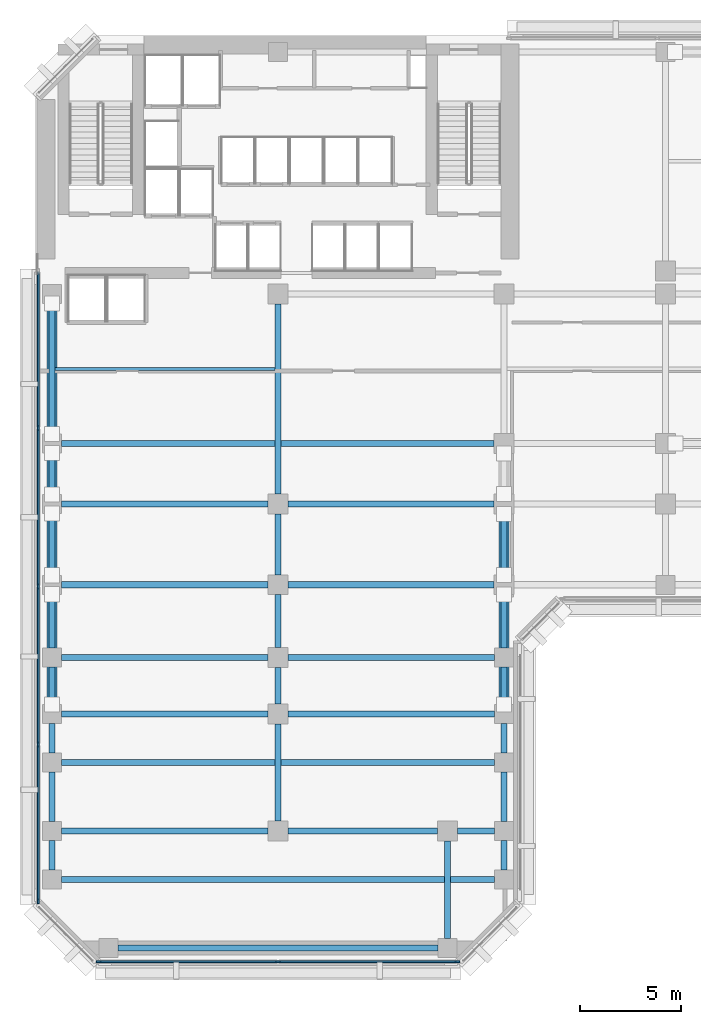
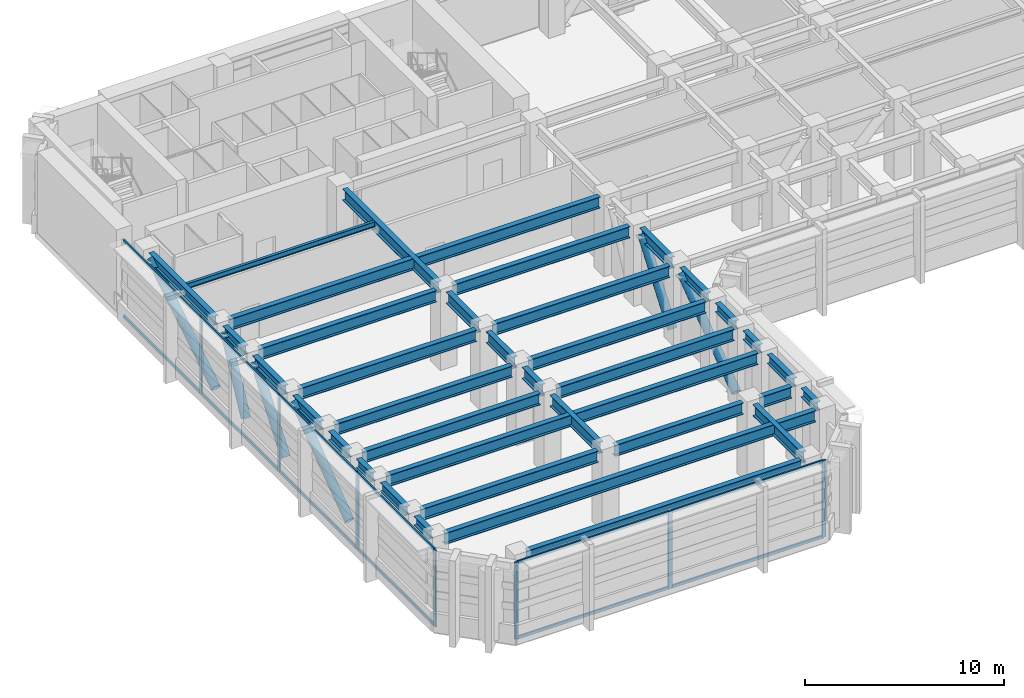
# One storey, part 2 of 13: 36 beams, 25 members, 2 elements without a shape of their own.
"""IFC4 building model written with IfcOpenShell, lengths in metres."""

import ifcopenshell
import ifcopenshell.guid

model = None  # the IFC model being written
_history = None  # IfcOwnerHistory: only IFC2X3 demands one
_inside = {}  # id of a spatial element -> (the spatial element, [elements in it])
_under = {}  # id of a project, library or spatial element -> (it, [spatial elements below it])
_declared = {}  # id of a project -> (the project, [libraries it declares])
_typed = {}  # id of a type object -> (the type object, [elements of that type])
_made_of = {}  # id of a material, layer set ... -> (it, [elements and type objects made of it])


def new_model(schema):
    """Start an empty IFC model of exactly this schema.

    Asked for "IFC4X3", IfcOpenShell would pick the latest addendum, in which some entities
    have other attributes; the version numbers below select the first issue.
    IFC2X3 requires an IfcOwnerHistory on every rooted entity: one is made here for all.
    """
    global model, _history
    if schema == "IFC4X3":
        model = ifcopenshell.file(schema_version=(4, 3, 0, 0))
    else:
        model = ifcopenshell.file(schema=schema)
    _inside.clear()
    _under.clear()
    _declared.clear()
    _typed.clear()
    _made_of.clear()
    _history = None
    if model.schema == "IFC2X3":
        org = make("IfcOrganization", Name="unknown")
        user = make(
            "IfcPersonAndOrganization",
            ThePerson=make("IfcPerson", FamilyName="unknown"),
            TheOrganization=org,
        )
        app = make(
            "IfcApplication",
            ApplicationDeveloper=org,
            Version="unknown",
            ApplicationFullName="unknown",
            ApplicationIdentifier="unknown",
        )
        _history = make(
            "IfcOwnerHistory",
            OwningUser=user,
            OwningApplication=app,
            ChangeAction="ADDED",
            CreationDate=0,
        )
    return model


def make(cls, **values):
    """One entity of the class cls with the attributes given. An attribute that is None is left unset."""
    return model.create_entity(
        cls, **{name: value for name, value in values.items() if value is not None}
    )


def rooted(cls, **values):
    """An entity with a GlobalId (a new one), such as an element, a storey or a relation."""
    return make(cls, GlobalId=ifcopenshell.guid.new(), OwnerHistory=_history, **values)


def si_unit(unit_type, name, prefix=None):
    """IfcSIUnit, for example si_unit("LENGTHUNIT", "METRE", prefix="MILLI")."""
    return make("IfcSIUnit", UnitType=unit_type, Prefix=prefix, Name=name)


def assignment(units):
    """IfcUnitAssignment: the units of a project."""
    return None if units is None else make("IfcUnitAssignment", Units=units)


def point(xyz):
    """IfcCartesianPoint."""
    return None if xyz is None else make("IfcCartesianPoint", Coordinates=xyz)


def direction(xyz):
    """IfcDirection."""
    return None if xyz is None else make("IfcDirection", DirectionRatios=xyz)


def frame(location, z_axis=None, x_axis=None):
    """IfcAxis2Placement3D, a coordinate frame: its origin and axes. An axis left out is left unset."""
    return make(
        "IfcAxis2Placement3D",
        Location=point(location),
        Axis=direction(z_axis),
        RefDirection=direction(x_axis),
    )


def frame_2d(location, x_axis=None):
    """IfcAxis2Placement2D, a coordinate frame in the plane: its origin and x axis."""
    return make(
        "IfcAxis2Placement2D", Location=point(location), RefDirection=direction(x_axis)
    )


def origin():
    """The frame at (0, 0, 0) with its axes left unset."""
    return frame((0.0, 0.0, 0.0))


def origin_2d():
    """The frame at (0, 0) in the plane with its x axis left unset."""
    return frame_2d((0.0, 0.0))


def place(relative_to, where):
    """IfcLocalPlacement: puts the frame where relative to a parent placement (None: the world)."""
    return make(
        "IfcLocalPlacement", PlacementRelTo=relative_to, RelativePlacement=where
    )


def context(
    kind, dimensions, precision=None, world=None, true_north=None, identifier=None
):
    """IfcGeometricRepresentationContext, for example the 3D "Model" context."""
    return make(
        "IfcGeometricRepresentationContext",
        ContextIdentifier=identifier,
        ContextType=kind,
        CoordinateSpaceDimension=dimensions,
        Precision=precision,
        WorldCoordinateSystem=world,
        TrueNorth=true_north,
    )


def subcontext(parent, identifier, kind, view, scale=None):
    """IfcGeometricRepresentationSubContext, for example "Body" below "Model"."""
    return make(
        "IfcGeometricRepresentationSubContext",
        ContextIdentifier=identifier,
        ContextType=kind,
        ParentContext=parent,
        TargetScale=scale,
        TargetView=view,
    )


def project(units=None, contexts=None):
    """IfcProject with its units and contexts."""
    return rooted(
        "IfcProject",
        Name="project",
        RepresentationContexts=contexts,
        UnitsInContext=assignment(units),
    )


def spatial(cls, under=None, at=None, **own):
    """A site, building, storey or space (cls), placed at a placement, below another one or the project."""
    s = rooted(cls, ObjectPlacement=at, **own)
    if under is not None:
        _under.setdefault(under.id(), (under, []))[1].append(s)
    return s


def profile(cls, at=None, kind="AREA", **sizes):
    """A parametric profile (cls). Its sizes go by their IFC names, for example OverallWidth=200.0."""
    return make(cls, ProfileType=kind, Position=at, **sizes)


def rectangle(**sizes):
    """IfcRectangleProfileDef."""
    return profile("IfcRectangleProfileDef", **sizes)


def hollow_circle(**sizes):
    """IfcCircleHollowProfileDef."""
    return profile("IfcCircleHollowProfileDef", **sizes)


def i_section(**sizes):
    """IfcIShapeProfileDef."""
    return profile("IfcIShapeProfileDef", **sizes)


def extrude(swept, where, along, depth):
    """IfcExtrudedAreaSolid: the profile swept, set in the frame where, extruded along a direction by depth."""
    return make(
        "IfcExtrudedAreaSolid",
        SweptArea=swept,
        Position=where,
        ExtrudedDirection=direction(along),
        Depth=depth,
    )


def shape(context_of_items, identifier, shape_type, items):
    """IfcShapeRepresentation: the items that make up one representation, for example the "Body"."""
    return make(
        "IfcShapeRepresentation",
        ContextOfItems=context_of_items,
        RepresentationIdentifier=identifier,
        RepresentationType=shape_type,
        Items=items,
    )


def material(Name=None, Category=None):
    """IfcMaterial."""
    return make("IfcMaterial", Name=Name, Category=Category)


def layer(
    of_material, thickness, ventilated=None, Name=None, Category=None, Priority=None
):
    """IfcMaterialLayer: one layer of a wall or slab, of a material (None: an air gap)."""
    return make(
        "IfcMaterialLayer",
        Material=of_material,
        LayerThickness=thickness,
        IsVentilated=ventilated,
        Name=Name,
        Category=Category,
        Priority=Priority,
    )


def layer_set(layers, Name=None):
    """IfcMaterialLayerSet."""
    return make("IfcMaterialLayerSet", MaterialLayers=layers, LayerSetName=Name)


def material_profile(
    of_material, cross_section, Name=None, Category=None, Priority=None
):
    """IfcMaterialProfile: a cross section and its material."""
    return make(
        "IfcMaterialProfile",
        Name=Name,
        Material=of_material,
        Profile=cross_section,
        Priority=Priority,
        Category=Category,
    )


def profile_set(profiles, Name=None, composite=None):
    """IfcMaterialProfileSet."""
    return make(
        "IfcMaterialProfileSet",
        Name=Name,
        MaterialProfiles=profiles,
        CompositeProfile=composite,
    )


def made_of(thing, what):
    """Note that an element or type object is made of a material, layer set ...; save() writes the relation."""
    if what is not None:
        _made_of.setdefault(what.id(), (what, []))[1].append(thing)
    return thing


def type_object(cls, material=None, **own):
    """A type object (cls), such as IfcWallType, which elements share."""
    return made_of(rooted(cls, **own), material)


def element(
    cls,
    number,
    at=None,
    inside=None,
    cuts=None,
    type_object=None,
    material=None,
    context=None,
    identifier="Body",
    shape_type=None,
    held_by="IfcProductDefinitionShape",
    body=None,
    shapes=None,
    **own,
):
    """One element of the class cls, such as IfcWall. Its Tag is "e" and its number.

    at: its placement. inside: the storey or other place that contains it. cuts: it is an
    opening in that element (IfcRelVoidsElement). A single representation is given by context,
    identifier, shape_type and body (its items); several are given by shapes. held_by: the class
    of the entity that holds the representations. save() writes the other relations.
    """
    e = rooted(cls, Tag="e%d" % number, ObjectPlacement=at, **own)
    if body is not None:
        shapes = [shape(context, identifier, shape_type, body)]
    if shapes is not None:
        e.Representation = make(held_by, Representations=shapes)
    if inside is not None:
        _inside.setdefault(inside.id(), (inside, []))[1].append(e)
    if cuts is not None:
        rooted(
            "IfcRelVoidsElement", RelatingBuildingElement=cuts, RelatedOpeningElement=e
        )
    if type_object is not None:
        _typed.setdefault(type_object.id(), (type_object, []))[1].append(e)
    return made_of(e, material)


def aggregate(whole, parts):
    """IfcRelAggregates: a whole, such as a stair, and the parts it consists of."""
    return rooted("IfcRelAggregates", RelatingObject=whole, RelatedObjects=parts)


def save(model, path):
    """Write the relations noted so far, then the file.

    IfcRelAggregates (storeys below a building ...), IfcRelContainedInSpatialStructure (elements
    in a storey), IfcRelDefinesByType, IfcRelAssociatesMaterial and IfcRelDeclares: one each for
    every whole, place, type object, material and project.
    """
    for whole, parts in _under.values():
        aggregate(whole, parts)
    for where, things in _inside.values():
        rooted(
            "IfcRelContainedInSpatialStructure",
            RelatedElements=things,
            RelatingStructure=where,
        )
    for kind, things in _typed.values():
        rooted("IfcRelDefinesByType", RelatedObjects=things, RelatingType=kind)
    for what, things in _made_of.values():
        rooted("IfcRelAssociatesMaterial", RelatedObjects=things, RelatingMaterial=what)
    for by, libraries in _declared.values():
        rooted("IfcRelDeclares", RelatingContext=by, RelatedDefinitions=libraries)
    model.write(path)


model = new_model("IFC4")

# Units and contexts
model_context = context("Model", 3, precision=1e-05, world=origin(), true_north=direction((0.0, 1.0)))
body_context = subcontext(model_context, "Body", "Model", "MODEL_VIEW")
ifc_project = project(units=[si_unit("LENGTHUNIT", "METRE"), si_unit("AREAUNIT", "SQUARE_METRE"), si_unit("VOLUMEUNIT", "CUBIC_METRE"), si_unit("PLANEANGLEUNIT", "RADIAN"), si_unit("MASSUNIT", "GRAM", prefix="KILO")], contexts=[model_context])

# Site, building, storey
site_placement = place(None, origin())
site = spatial("IfcSite", under=ifc_project, at=site_placement, CompositionType="ELEMENT")
building_placement = place(site_placement, origin())
building = spatial("IfcBuilding", under=site, at=building_placement, Name="Kefirva Bronze Tower", CompositionType="ELEMENT")
storey_placement = place(building_placement, frame((0.0, 0.0, 93.719970703125)))
storey = spatial("IfcBuildingStorey", under=building, at=storey_placement, Name="L22", CompositionType="ELEMENT", Elevation=93.719970703125)

# Curtain wall, members
ifc_material_1 = material(Name="Bronze anodised aluminium", Category="aluminium")
ifc_layer = layer(ifc_material_1, 0.219970703125, Name="Bronze anodised aluminium")
ifc_layer_set = layer_set([ifc_layer], Name="Bronze anodised aluminium")
curtain_wall_type = type_object("IfcCurtainWallType", Name="Refuge Acoustic Louvre Curtain Screen", PredefinedType="USERDEFINED", material=ifc_layer_set)
curtain_wall_1_placement = place(storey_placement, origin())
curtain_wall_1 = element("IfcCurtainWall", 1, at=curtain_wall_1_placement, inside=storey, type_object=curtain_wall_type, Name="L22 Curtain Wall 1", ObjectType="LOUVRE SCREEN WALL", PredefinedType="USERDEFINED")
ifc_material_profile_1 = material_profile(ifc_material_1, rectangle(XDim=0.090087890625, YDim=0.219970703125, at=origin_2d()), Name="ALU 90x220")
ifc_profile_set_1 = profile_set([ifc_material_profile_1], Name="Bronze anodised aluminium")
member_type_1 = type_object("IfcMemberType", Name="Bronze Mullion 90x220", PredefinedType="MULLION", material=ifc_profile_set_1)
member_1_placement = place(storey_placement, frame((3.10009765625, 0.1201171875, 0.0), z_axis=(0.0, 0.0, 1.0), x_axis=(0.0, 1.0, 0.0)))
member_1 = element("IfcMember", 2, at=member_1_placement, type_object=member_type_1, Name="CW-06 mullion 1", PredefinedType="MULLION", context=body_context, shape_type="SweptSolid", body=[
    extrude(rectangle(XDim=0.090087890625, YDim=0.219970703125, at=origin_2d()), origin(), (0.0, 0.0, 1.0), 4.699951171875),
])
member_2_placement = place(storey_placement, frame((12.0, 0.1201171875, 0.0), z_axis=(0.0, 0.0, 1.0), x_axis=(0.0, 1.0, 0.0)))
member_2 = element("IfcMember", 3, at=member_2_placement, type_object=member_type_1, Name="CW-06 mullion 2", PredefinedType="MULLION", context=body_context, shape_type="SweptSolid", body=[
    extrude(rectangle(XDim=0.090087890625, YDim=0.219970703125, at=origin_2d()), origin(), (0.0, 0.0, 1.0), 4.699951171875),
])
member_3_placement = place(storey_placement, frame((20.89990234375, 0.1201171875, 0.0), z_axis=(0.0, 0.0, 1.0), x_axis=(0.0, 1.0, 0.0)))
member_3 = element("IfcMember", 4, at=member_3_placement, type_object=member_type_1, Name="CW-06 mullion 3", PredefinedType="MULLION", context=body_context, shape_type="SweptSolid", body=[
    extrude(rectangle(XDim=0.090087890625, YDim=0.219970703125, at=origin_2d()), origin(), (0.0, 0.0, 1.0), 4.699951171875),
])

curtain_wall_2_placement = place(storey_placement, origin())
curtain_wall_2 = element("IfcCurtainWall", 5, at=curtain_wall_2_placement, inside=storey, type_object=curtain_wall_type, Name="L22 Curtain Wall 5", ObjectType="LOUVRE SCREEN WALL", PredefinedType="USERDEFINED")
member_4_placement = place(storey_placement, frame((0.1201171875, 26.56005859375, 0.0), z_axis=(0.0, 0.0, 1.0), x_axis=(1.0, 0.0, 0.0)))
member_4 = element("IfcMember", 6, at=member_4_placement, type_object=member_type_1, Name="CW-06 mullion 2", PredefinedType="MULLION", context=body_context, shape_type="SweptSolid", body=[
    extrude(rectangle(XDim=0.090087890625, YDim=0.219970703125, at=origin_2d()), origin(), (0.0, 0.0, 1.0), 4.699951171875),
])
member_5_placement = place(storey_placement, frame((0.1201171875, 18.72509765625, 0.0), z_axis=(0.0, 0.0, 1.0), x_axis=(1.0, 0.0, 0.0)))
member_5 = element("IfcMember", 7, at=member_5_placement, type_object=member_type_1, Name="CW-06 mullion 3", PredefinedType="MULLION", context=body_context, shape_type="SweptSolid", body=[
    extrude(rectangle(XDim=0.090087890625, YDim=0.219970703125, at=origin_2d()), origin(), (0.0, 0.0, 1.0), 4.699951171875),
])
member_6_placement = place(storey_placement, frame((0.1201171875, 10.889892578125, 0.0), z_axis=(0.0, 0.0, 1.0), x_axis=(1.0, 0.0, 0.0)))
member_6 = element("IfcMember", 8, at=member_6_placement, type_object=member_type_1, Name="CW-06 mullion 4", PredefinedType="MULLION", context=body_context, shape_type="SweptSolid", body=[
    extrude(rectangle(XDim=0.090087890625, YDim=0.219970703125, at=origin_2d()), origin(), (0.0, 0.0, 1.0), 4.699951171875),
])
member_7_placement = place(storey_placement, frame((0.1201171875, 3.10009765625, 0.0), z_axis=(0.0, 0.0, 1.0), x_axis=(1.0, 0.0, 0.0)))
member_7 = element("IfcMember", 9, at=member_7_placement, type_object=member_type_1, Name="CW-06 mullion 5", PredefinedType="MULLION", context=body_context, shape_type="SweptSolid", body=[
    extrude(rectangle(XDim=0.090087890625, YDim=0.219970703125, at=origin_2d()), origin(), (0.0, 0.0, 1.0), 4.699951171875),
])

# Member
ifc_material_profile_2 = material_profile(ifc_material_1, rectangle(XDim=0.090087890625, YDim=0.179931640625, at=origin_2d()), Name="ALU 90x180")
ifc_profile_set_2 = profile_set([ifc_material_profile_2], Name="Bronze anodised aluminium")
member_type_2 = type_object("IfcMemberType", Name="Bronze Transom 90x180", PredefinedType="USERDEFINED", material=ifc_profile_set_2)
member_8_placement = place(storey_placement, frame((3.14501953125, 0.1201171875, 0.044921875), z_axis=(1.0, 0.0, 0.0), x_axis=(0.0, 1.0, 0.0)))
member_8 = element("IfcMember", 10, at=member_8_placement, type_object=member_type_2, Name="CW-06 transom 1.1", ObjectType="TRANSOM", PredefinedType="USERDEFINED", context=body_context, shape_type="SweptSolid", body=[
    extrude(rectangle(XDim=0.090087890625, YDim=0.179931640625, at=origin_2d()), origin(), (0.0, 0.0, 1.0), 8.81005859375),
])

member_9_placement = place(storey_placement, frame((3.14501953125, 0.1201171875, 4.655029296875), z_axis=(1.0, 0.0, 0.0), x_axis=(0.0, 1.0, 0.0)))
member_9 = element("IfcMember", 11, at=member_9_placement, type_object=member_type_2, Name="CW-06 transom 1.2", ObjectType="TRANSOM", PredefinedType="USERDEFINED", context=body_context, shape_type="SweptSolid", body=[
    extrude(rectangle(XDim=0.090087890625, YDim=0.179931640625, at=origin_2d()), origin(), (0.0, 0.0, 1.0), 8.81005859375),
])

member_10_placement = place(storey_placement, frame((12.044921875, 0.1201171875, 0.044921875), z_axis=(1.0, 0.0, 0.0), x_axis=(0.0, 1.0, 0.0)))
member_10 = element("IfcMember", 12, at=member_10_placement, type_object=member_type_2, Name="CW-06 transom 2.1", ObjectType="TRANSOM", PredefinedType="USERDEFINED", context=body_context, shape_type="SweptSolid", body=[
    extrude(rectangle(XDim=0.090087890625, YDim=0.179931640625, at=origin_2d()), origin(), (0.0, 0.0, 1.0), 8.81005859375),
])

member_11_placement = place(storey_placement, frame((12.044921875, 0.1201171875, 4.655029296875), z_axis=(1.0, 0.0, 0.0), x_axis=(0.0, 1.0, 0.0)))
member_11 = element("IfcMember", 13, at=member_11_placement, type_object=member_type_2, Name="CW-06 transom 2.2", ObjectType="TRANSOM", PredefinedType="USERDEFINED", context=body_context, shape_type="SweptSolid", body=[
    extrude(rectangle(XDim=0.090087890625, YDim=0.179931640625, at=origin_2d()), origin(), (0.0, 0.0, 1.0), 8.81005859375),
])

aggregate(curtain_wall_1, [member_1, member_2, member_3, member_8, member_9, member_10, member_11])

member_12_placement = place(storey_placement, frame((0.1201171875, 34.304931640625, 0.044921875), z_axis=(0.0, -1.0, 0.0), x_axis=(1.0, 0.0, 0.0)))
member_12 = element("IfcMember", 14, at=member_12_placement, type_object=member_type_2, Name="CW-06 transom 1.1", ObjectType="TRANSOM", PredefinedType="USERDEFINED", context=body_context, shape_type="SweptSolid", body=[
    extrude(rectangle(XDim=0.090087890625, YDim=0.179931640625, at=origin_2d()), origin(), (0.0, 0.0, 1.0), 7.699951171875),
])

member_13_placement = place(storey_placement, frame((0.1201171875, 34.304931640625, 4.655029296875), z_axis=(0.0, -1.0, 0.0), x_axis=(1.0, 0.0, 0.0)))
member_13 = element("IfcMember", 15, at=member_13_placement, type_object=member_type_2, Name="CW-06 transom 1.2", ObjectType="TRANSOM", PredefinedType="USERDEFINED", context=body_context, shape_type="SweptSolid", body=[
    extrude(rectangle(XDim=0.090087890625, YDim=0.179931640625, at=origin_2d()), origin(), (0.0, 0.0, 1.0), 7.699951171875),
])

member_14_placement = place(storey_placement, frame((0.1201171875, 26.514892578125, 0.044921875), z_axis=(0.0, -1.0, 0.0), x_axis=(1.0, 0.0, 0.0)))
member_14 = element("IfcMember", 16, at=member_14_placement, type_object=member_type_2, Name="CW-06 transom 2.1", ObjectType="TRANSOM", PredefinedType="USERDEFINED", context=body_context, shape_type="SweptSolid", body=[
    extrude(rectangle(XDim=0.090087890625, YDim=0.179931640625, at=origin_2d()), origin(), (0.0, 0.0, 1.0), 7.744873046875),
])

member_15_placement = place(storey_placement, frame((0.1201171875, 26.514892578125, 4.655029296875), z_axis=(0.0, -1.0, 0.0), x_axis=(1.0, 0.0, 0.0)))
member_15 = element("IfcMember", 17, at=member_15_placement, type_object=member_type_2, Name="CW-06 transom 2.2", ObjectType="TRANSOM", PredefinedType="USERDEFINED", context=body_context, shape_type="SweptSolid", body=[
    extrude(rectangle(XDim=0.090087890625, YDim=0.179931640625, at=origin_2d()), origin(), (0.0, 0.0, 1.0), 7.744873046875),
])

member_16_placement = place(storey_placement, frame((0.1201171875, 18.679931640625, 0.044921875), z_axis=(0.0, -1.0, 0.0), x_axis=(1.0, 0.0, 0.0)))
member_16 = element("IfcMember", 18, at=member_16_placement, type_object=member_type_2, Name="CW-06 transom 3.1", ObjectType="TRANSOM", PredefinedType="USERDEFINED", context=body_context, shape_type="SweptSolid", body=[
    extrude(rectangle(XDim=0.090087890625, YDim=0.179931640625, at=origin_2d()), origin(), (0.0, 0.0, 1.0), 7.744873046875),
])

member_17_placement = place(storey_placement, frame((0.1201171875, 18.679931640625, 4.655029296875), z_axis=(0.0, -1.0, 0.0), x_axis=(1.0, 0.0, 0.0)))
member_17 = element("IfcMember", 19, at=member_17_placement, type_object=member_type_2, Name="CW-06 transom 3.2", ObjectType="TRANSOM", PredefinedType="USERDEFINED", context=body_context, shape_type="SweptSolid", body=[
    extrude(rectangle(XDim=0.090087890625, YDim=0.179931640625, at=origin_2d()), origin(), (0.0, 0.0, 1.0), 7.744873046875),
])

member_18_placement = place(storey_placement, frame((0.1201171875, 10.844970703125, 0.044921875), z_axis=(0.0, -1.0, 0.0), x_axis=(1.0, 0.0, 0.0)))
member_18 = element("IfcMember", 20, at=member_18_placement, type_object=member_type_2, Name="CW-06 transom 4.1", ObjectType="TRANSOM", PredefinedType="USERDEFINED", context=body_context, shape_type="SweptSolid", body=[
    extrude(rectangle(XDim=0.090087890625, YDim=0.179931640625, at=origin_2d()), origin(), (0.0, 0.0, 1.0), 7.699951171875),
])

member_19_placement = place(storey_placement, frame((0.1201171875, 10.844970703125, 4.655029296875), z_axis=(0.0, -1.0, 0.0), x_axis=(1.0, 0.0, 0.0)))
member_19 = element("IfcMember", 21, at=member_19_placement, type_object=member_type_2, Name="CW-06 transom 4.2", ObjectType="TRANSOM", PredefinedType="USERDEFINED", context=body_context, shape_type="SweptSolid", body=[
    extrude(rectangle(XDim=0.090087890625, YDim=0.179931640625, at=origin_2d()), origin(), (0.0, 0.0, 1.0), 7.699951171875),
])

aggregate(curtain_wall_2, [member_4, member_5, member_6, member_7, member_12, member_13, member_14, member_15, member_16, member_17, member_18, member_19])

# Members
ifc_material_2 = material(Name="Steel S460", Category="steel")
ifc_material_profile_3 = material_profile(ifc_material_2, hollow_circle(Radius=0.25390625, WallThickness=0.02001953125, at=origin_2d()), Name="CHS 508x20")
ifc_profile_set_3 = profile_set([ifc_material_profile_3], Name="Steel S460")
member_type_3 = type_object("IfcMemberType", Name="Steel Belt Brace CHS 508x20", PredefinedType="BRACE", material=ifc_profile_set_3)
member_20_placement = place(storey_placement, frame((0.800048828125, 12.8701171875, 0.300048828125), z_axis=(0.0, 0.806684713993, 0.590982040514), x_axis=(-1.0, 0.0, 0.0)))
element("IfcMember", 22, at=member_20_placement, inside=storey, type_object=member_type_3, Name="L22 Outrigger Belt Brace 1", PredefinedType="BRACE", context=body_context, shape_type="SweptSolid", body=[
    extrude(hollow_circle(Radius=0.25390625, WallThickness=0.02001953125, at=origin_2d()), origin(), (0.0, 0.0, 1.0), 6.768310546875),
])
member_21_placement = place(storey_placement, frame((0.800048828125, 19.27001953125, 0.300048828125), z_axis=(0.0, 0.607604839906, 0.794239484364), x_axis=(-1.0, 0.0, 0.0)))
element("IfcMember", 23, at=member_21_placement, inside=storey, type_object=member_type_3, Name="L22 Outrigger Belt Brace 2", PredefinedType="BRACE", context=body_context, shape_type="SweptSolid", body=[
    extrude(hollow_circle(Radius=0.25390625, WallThickness=0.02001953125, at=origin_2d()), origin(), (0.0, 0.0, 1.0), 5.036376953125),
])
member_22_placement = place(storey_placement, frame((0.800048828125, 23.27001953125, 0.300048828125), z_axis=(0.0, 0.457860427975, 0.889024087691), x_axis=(-1.0, 0.0, 0.0)))
element("IfcMember", 24, at=member_22_placement, inside=storey, type_object=member_type_3, Name="L22 Outrigger Belt Brace 3", PredefinedType="BRACE", context=body_context, shape_type="SweptSolid", body=[
    extrude(hollow_circle(Radius=0.25390625, WallThickness=0.02001953125, at=origin_2d()), origin(), (0.0, 0.0, 1.0), 4.499267578125),
])
member_23_placement = place(storey_placement, frame((0.800048828125, 26.27001953125, 0.300048828125), z_axis=(0.0, 0.850207620408, 0.526447530339), x_axis=(-1.0, 0.0, 0.0)))
element("IfcMember", 25, at=member_23_placement, inside=storey, type_object=member_type_3, Name="L22 Outrigger Belt Brace 4", PredefinedType="BRACE", context=body_context, shape_type="SweptSolid", body=[
    extrude(hollow_circle(Radius=0.25390625, WallThickness=0.02001953125, at=origin_2d()), origin(), (0.0, 0.0, 1.0), 7.59814453125),
])
member_24_placement = place(storey_placement, frame((23.199951171875, 12.8701171875, 0.300048828125), z_axis=(0.0, 0.80564796742, 0.592394591967), x_axis=(-1.0, 0.0, 0.0)))
element("IfcMember", 26, at=member_24_placement, inside=storey, type_object=member_type_3, Name="L22 Outrigger Belt Brace 5", PredefinedType="BRACE", context=body_context, shape_type="SweptSolid", body=[
    extrude(hollow_circle(Radius=0.25390625, WallThickness=0.02001953125, at=origin_2d()), origin(), (0.0, 0.0, 1.0), 6.752197265625),
])
member_25_placement = place(storey_placement, frame((23.199951171875, 19.2900390625, 0.300048828125), z_axis=(0.0, 0.602553282453, 0.798078656403), x_axis=(-1.0, 0.0, 0.0)))
element("IfcMember", 27, at=member_25_placement, inside=storey, type_object=member_type_3, Name="L22 Outrigger Belt Brace 6", PredefinedType="BRACE", context=body_context, shape_type="SweptSolid", body=[
    extrude(hollow_circle(Radius=0.25390625, WallThickness=0.02001953125, at=origin_2d()), origin(), (0.0, 0.0, 1.0), 5.011962890625),
])

# Beams
ifc_material_3 = material(Name="Steel S355", Category="steel")
ifc_material_profile_4 = material_profile(ifc_material_3, i_section(OverallWidth=0.159912109375, OverallDepth=0.330078125, WebThickness=0.007568359375, FlangeThickness=0.011474609375, at=origin_2d()), Name="IPE 330")
ifc_profile_set_4 = profile_set([ifc_material_profile_4], Name="Steel S355")
beam_type_1 = type_object("IfcBeamType", Name="Steel Floor Joist IPE 330", PredefinedType="JOIST", material=ifc_profile_set_4)
beam_1_placement = place(storey_placement, frame((0.949951171875, 29.489990234375, 4.534912109375), z_axis=(1.0, 0.0, 0.0), x_axis=(0.0, 1.0, 0.0)))
element("IfcBeam", 28, at=beam_1_placement, inside=storey, type_object=beam_type_1, Name="L22 JST-L22-0-294", PredefinedType="JOIST", context=body_context, shape_type="SweptSolid", body=[
    extrude(i_section(OverallWidth=0.159912109375, OverallDepth=0.330078125, WebThickness=0.007568359375, FlangeThickness=0.011474609375, at=origin_2d()), origin(), (0.0, 0.0, 1.0), 10.900146484375),
])
ifc_material_profile_5 = material_profile(ifc_material_3, i_section(OverallWidth=0.300048828125, OverallDepth=0.699951171875, WebThickness=0.01708984375, FlangeThickness=0.031982421875, at=origin_2d()), Name="HEB 700")
ifc_profile_set_5 = profile_set([ifc_material_profile_5], Name="Steel S355")
beam_type_2 = type_object("IfcBeamType", Name="Steel Girder HEB 700", PredefinedType="USERDEFINED", material=ifc_profile_set_5)
beam_2_placement = place(storey_placement, frame((1.27001953125, 4.199951171875, 4.35009765625), z_axis=(1.0, 0.0, 0.0), x_axis=(0.0, 1.0, 0.0)))
element("IfcBeam", 29, at=beam_2_placement, inside=storey, type_object=beam_type_2, Name="L22 BM-L22-EW-0-42", ObjectType="GIRDER", PredefinedType="USERDEFINED", context=body_context, shape_type="SweptSolid", body=[
    extrude(i_section(OverallWidth=0.300048828125, OverallDepth=0.699951171875, WebThickness=0.01708984375, FlangeThickness=0.031982421875, at=origin_2d()), origin(), (0.0, 0.0, 1.0), 21.4599609375),
])
beam_3_placement = place(storey_placement, frame((1.27001953125, 6.60009765625, 4.35009765625), z_axis=(1.0, 0.0, 0.0), x_axis=(0.0, 1.0, 0.0)))
element("IfcBeam", 30, at=beam_3_placement, inside=storey, type_object=beam_type_2, Name="L22 BM-L22-EW-0-66", ObjectType="GIRDER", PredefinedType="USERDEFINED", context=body_context, shape_type="SweptSolid", body=[
    extrude(i_section(OverallWidth=0.300048828125, OverallDepth=0.699951171875, WebThickness=0.01708984375, FlangeThickness=0.031982421875, at=origin_2d()), origin(), (0.0, 0.0, 1.0), 10.239990234375),
])
beam_4_placement = place(storey_placement, frame((12.489990234375, 6.60009765625, 4.35009765625), z_axis=(1.0, 0.0, 0.0), x_axis=(0.0, 1.0, 0.0)))
element("IfcBeam", 31, at=beam_4_placement, inside=storey, type_object=beam_type_2, Name="L22 BM-L22-EW-12-66", ObjectType="GIRDER", PredefinedType="USERDEFINED", context=body_context, shape_type="SweptSolid", body=[
    extrude(i_section(OverallWidth=0.300048828125, OverallDepth=0.699951171875, WebThickness=0.01708984375, FlangeThickness=0.031982421875, at=origin_2d()), origin(), (0.0, 0.0, 1.0), 7.419921875),
])
beam_5_placement = place(storey_placement, frame((20.889892578125, 6.60009765625, 4.35009765625), z_axis=(1.0, 0.0, 0.0), x_axis=(0.0, 1.0, 0.0)))
element("IfcBeam", 32, at=beam_5_placement, inside=storey, type_object=beam_type_2, Name="L22 BM-L22-EW-20-66", ObjectType="GIRDER", PredefinedType="USERDEFINED", context=body_context, shape_type="SweptSolid", body=[
    extrude(i_section(OverallWidth=0.300048828125, OverallDepth=0.699951171875, WebThickness=0.01708984375, FlangeThickness=0.031982421875, at=origin_2d()), origin(), (0.0, 0.0, 1.0), 1.840087890625),
])
beam_6_placement = place(storey_placement, frame((1.27001953125, 10.0, 4.35009765625), z_axis=(1.0, 0.0, 0.0), x_axis=(0.0, 1.0, 0.0)))
element("IfcBeam", 33, at=beam_6_placement, inside=storey, type_object=beam_type_2, Name="L22 BM-L22-EW-0-100", ObjectType="GIRDER", PredefinedType="USERDEFINED", context=body_context, shape_type="SweptSolid", body=[
    extrude(i_section(OverallWidth=0.300048828125, OverallDepth=0.699951171875, WebThickness=0.01708984375, FlangeThickness=0.031982421875, at=origin_2d()), origin(), (0.0, 0.0, 1.0), 21.4599609375),
])
for number, where, z_axis, x_axis, name in (
    (34, (1.27001953125, 12.39990234375, 4.35009765625), (1.0, 0.0, 0.0), (0.0, 1.0, 0.0), "L22 BM-L22-EW-0-124"),
    (35, (12.489990234375, 12.39990234375, 4.35009765625), (1.0, 0.0, 0.0), (0.0, 1.0, 0.0), "L22 BM-L22-EW-12-124"),
    (36, (1.27001953125, 15.199951171875, 4.35009765625), (1.0, 0.0, 0.0), (0.0, 1.0, 0.0), "L22 BM-L22-EW-0-152"),
    (37, (12.489990234375, 15.199951171875, 4.35009765625), (1.0, 0.0, 0.0), (0.0, 1.0, 0.0), "L22 BM-L22-EW-12-152"),
    (38, (1.27001953125, 18.800048828125, 4.35009765625), (1.0, 0.0, 0.0), (0.0, 1.0, 0.0), "L22 BM-L22-EW-0-188"),
):
    element("IfcBeam", number, at=place(storey_placement, frame(where, z_axis=z_axis, x_axis=x_axis)), inside=storey, type_object=beam_type_2, Name=name, ObjectType="GIRDER", PredefinedType="USERDEFINED", context=body_context, shape_type="SweptSolid", body=[
        extrude(i_section(OverallWidth=0.300048828125, OverallDepth=0.699951171875, WebThickness=0.01708984375, FlangeThickness=0.031982421875, at=origin_2d()), origin(), (0.0, 0.0, 1.0), 10.239990234375),
    ])
beam_7_placement = place(storey_placement, frame((12.489990234375, 18.800048828125, 4.35009765625), z_axis=(1.0, 0.0, 0.0), x_axis=(0.0, 1.0, 0.0)))
element("IfcBeam", 39, at=beam_7_placement, inside=storey, type_object=beam_type_2, Name="L22 BM-L22-EW-12-188", ObjectType="GIRDER", PredefinedType="USERDEFINED", context=body_context, shape_type="SweptSolid", body=[
    extrude(i_section(OverallWidth=0.300048828125, OverallDepth=0.699951171875, WebThickness=0.01708984375, FlangeThickness=0.031982421875, at=origin_2d()), origin(), (0.0, 0.0, 1.0), 10.219970703125),
])
beam_8_placement = place(storey_placement, frame((1.27001953125, 22.800048828125, 4.35009765625), z_axis=(1.0, 0.0, 0.0), x_axis=(0.0, 1.0, 0.0)))
element("IfcBeam", 40, at=beam_8_placement, inside=storey, type_object=beam_type_2, Name="L22 BM-L22-EW-0-228", ObjectType="GIRDER", PredefinedType="USERDEFINED", context=body_context, shape_type="SweptSolid", body=[
    extrude(i_section(OverallWidth=0.300048828125, OverallDepth=0.699951171875, WebThickness=0.01708984375, FlangeThickness=0.031982421875, at=origin_2d()), origin(), (0.0, 0.0, 1.0), 10.239990234375),
])
beam_9_placement = place(storey_placement, frame((12.489990234375, 22.800048828125, 4.35009765625), z_axis=(1.0, 0.0, 0.0), x_axis=(0.0, 1.0, 0.0)))
element("IfcBeam", 41, at=beam_9_placement, inside=storey, type_object=beam_type_2, Name="L22 BM-L22-EW-12-228", ObjectType="GIRDER", PredefinedType="USERDEFINED", context=body_context, shape_type="SweptSolid", body=[
    extrude(i_section(OverallWidth=0.300048828125, OverallDepth=0.699951171875, WebThickness=0.01708984375, FlangeThickness=0.031982421875, at=origin_2d()), origin(), (0.0, 0.0, 1.0), 10.219970703125),
])
beam_10_placement = place(storey_placement, frame((1.27001953125, 25.800048828125, 4.35009765625), z_axis=(1.0, 0.0, 0.0), x_axis=(0.0, 1.0, 0.0)))
element("IfcBeam", 42, at=beam_10_placement, inside=storey, type_object=beam_type_2, Name="L22 BM-L22-EW-0-258", ObjectType="GIRDER", PredefinedType="USERDEFINED", context=body_context, shape_type="SweptSolid", body=[
    extrude(i_section(OverallWidth=0.300048828125, OverallDepth=0.699951171875, WebThickness=0.01708984375, FlangeThickness=0.031982421875, at=origin_2d()), origin(), (0.0, 0.0, 1.0), 21.43994140625),
])
beam_11_placement = place(storey_placement, frame((12.0, 7.090087890625, 4.35009765625), z_axis=(0.0, 1.0, 0.0), x_axis=(-1.0, 0.0, 0.0)))
element("IfcBeam", 43, at=beam_11_placement, inside=storey, type_object=beam_type_2, Name="L22 BM-L22-NS-120-6", ObjectType="GIRDER", PredefinedType="USERDEFINED", context=body_context, shape_type="SweptSolid", body=[
    extrude(i_section(OverallWidth=0.300048828125, OverallDepth=0.699951171875, WebThickness=0.01708984375, FlangeThickness=0.031982421875, at=origin_2d()), origin(), (0.0, 0.0, 1.0), 4.81982421875),
])
beam_12_placement = place(storey_placement, frame((12.0, 12.889892578125, 4.35009765625), z_axis=(0.0, 1.0, 0.0), x_axis=(-1.0, 0.0, 0.0)))
element("IfcBeam", 44, at=beam_12_placement, inside=storey, type_object=beam_type_2, Name="L22 BM-L22-NS-120-12", ObjectType="GIRDER", PredefinedType="USERDEFINED", context=body_context, shape_type="SweptSolid", body=[
    extrude(i_section(OverallWidth=0.300048828125, OverallDepth=0.699951171875, WebThickness=0.01708984375, FlangeThickness=0.031982421875, at=origin_2d()), origin(), (0.0, 0.0, 1.0), 1.820068359375),
])
beam_13_placement = place(storey_placement, frame((12.0, 15.68994140625, 4.35009765625), z_axis=(0.0, 1.0, 0.0), x_axis=(-1.0, 0.0, 0.0)))
element("IfcBeam", 45, at=beam_13_placement, inside=storey, type_object=beam_type_2, Name="L22 BM-L22-NS-120-15", ObjectType="GIRDER", PredefinedType="USERDEFINED", context=body_context, shape_type="SweptSolid", body=[
    extrude(i_section(OverallWidth=0.300048828125, OverallDepth=0.699951171875, WebThickness=0.01708984375, FlangeThickness=0.031982421875, at=origin_2d()), origin(), (0.0, 0.0, 1.0), 2.6201171875),
])
beam_14_placement = place(storey_placement, frame((12.0, 19.2900390625, 4.35009765625), z_axis=(0.0, 1.0, 0.0), x_axis=(-1.0, 0.0, 0.0)))
element("IfcBeam", 46, at=beam_14_placement, inside=storey, type_object=beam_type_2, Name="L22 BM-L22-NS-120-18", ObjectType="GIRDER", PredefinedType="USERDEFINED", context=body_context, shape_type="SweptSolid", body=[
    extrude(i_section(OverallWidth=0.300048828125, OverallDepth=0.699951171875, WebThickness=0.01708984375, FlangeThickness=0.031982421875, at=origin_2d()), origin(), (0.0, 0.0, 1.0), 3.02001953125),
])
beam_15_placement = place(storey_placement, frame((12.0, 23.2900390625, 4.35009765625), z_axis=(0.0, 1.0, 0.0), x_axis=(-1.0, 0.0, 0.0)))
element("IfcBeam", 47, at=beam_15_placement, inside=storey, type_object=beam_type_2, Name="L22 BM-L22-NS-120-22", ObjectType="GIRDER", PredefinedType="USERDEFINED", context=body_context, shape_type="SweptSolid", body=[
    extrude(i_section(OverallWidth=0.300048828125, OverallDepth=0.699951171875, WebThickness=0.01708984375, FlangeThickness=0.031982421875, at=origin_2d()), origin(), (0.0, 0.0, 1.0), 9.419921875),
])
beam_16_placement = place(storey_placement, frame((20.39990234375, 1.27001953125, 4.35009765625), z_axis=(0.0, 1.0, 0.0), x_axis=(-1.0, 0.0, 0.0)))
element("IfcBeam", 48, at=beam_16_placement, inside=storey, type_object=beam_type_2, Name="L22 BM-L22-NS-204-0", ObjectType="GIRDER", PredefinedType="USERDEFINED", context=body_context, shape_type="SweptSolid", body=[
    extrude(i_section(OverallWidth=0.300048828125, OverallDepth=0.699951171875, WebThickness=0.01708984375, FlangeThickness=0.031982421875, at=origin_2d()), origin(), (0.0, 0.0, 1.0), 4.840087890625),
])
beam_17_placement = place(storey_placement, frame((23.199951171875, 19.2900390625, 4.35009765625), z_axis=(0.0, 1.0, 0.0), x_axis=(-1.0, 0.0, 0.0)))
element("IfcBeam", 49, at=beam_17_placement, inside=storey, type_object=beam_type_2, Name="L22 BM-L22-NS-232-18", ObjectType="GIRDER", PredefinedType="USERDEFINED", context=body_context, shape_type="SweptSolid", body=[
    extrude(i_section(OverallWidth=0.300048828125, OverallDepth=0.699951171875, WebThickness=0.01708984375, FlangeThickness=0.031982421875, at=origin_2d()), origin(), (0.0, 0.0, 1.0), 3.02001953125),
])
ifc_material_profile_6 = material_profile(ifc_material_3, i_section(OverallWidth=0.300048828125, OverallDepth=0.550048828125, WebThickness=0.014892578125, FlangeThickness=0.029052734375, at=origin_2d()), Name="HEB 550")
ifc_profile_set_6 = profile_set([ifc_material_profile_6], Name="Steel S355")
beam_type_3 = type_object("IfcBeamType", Name="Steel Spandrel HEB 550 Ext", PredefinedType="SPANDREL", material=ifc_profile_set_6)
beam_18_placement = place(storey_placement, frame((4.070068359375, 0.800048828125, 4.425048828125), z_axis=(1.0, 0.0, 0.0), x_axis=(0.0, 1.0, 0.0)))
element("IfcBeam", 50, at=beam_18_placement, inside=storey, type_object=beam_type_3, Name="L22 BM-L22-EW-3-8", PredefinedType="SPANDREL", context=body_context, shape_type="SweptSolid", body=[
    extrude(i_section(OverallWidth=0.300048828125, OverallDepth=0.550048828125, WebThickness=0.014892578125, FlangeThickness=0.029052734375, at=origin_2d()), origin(), (0.0, 0.0, 1.0), 15.85986328125),
])
beam_19_placement = place(storey_placement, frame((0.800048828125, 4.669921875, 4.425048828125), z_axis=(0.0, 1.0, 0.0), x_axis=(-1.0, 0.0, 0.0)))
element("IfcBeam", 51, at=beam_19_placement, inside=storey, type_object=beam_type_3, Name="L22 BM-L22-NS-8-4", PredefinedType="SPANDREL", context=body_context, shape_type="SweptSolid", body=[
    extrude(i_section(OverallWidth=0.300048828125, OverallDepth=0.550048828125, WebThickness=0.014892578125, FlangeThickness=0.029052734375, at=origin_2d()), origin(), (0.0, 0.0, 1.0), 1.4599609375),
])
beam_20_placement = place(storey_placement, frame((0.800048828125, 7.070068359375, 4.425048828125), z_axis=(0.0, 1.0, 0.0), x_axis=(-1.0, 0.0, 0.0)))
element("IfcBeam", 52, at=beam_20_placement, inside=storey, type_object=beam_type_3, Name="L22 BM-L22-NS-8-6", PredefinedType="SPANDREL", context=body_context, shape_type="SweptSolid", body=[
    extrude(i_section(OverallWidth=0.300048828125, OverallDepth=0.550048828125, WebThickness=0.014892578125, FlangeThickness=0.029052734375, at=origin_2d()), origin(), (0.0, 0.0, 1.0), 2.4599609375),
])
beam_21_placement = place(storey_placement, frame((0.800048828125, 10.469970703125, 4.425048828125), z_axis=(0.0, 1.0, 0.0), x_axis=(-1.0, 0.0, 0.0)))
element("IfcBeam", 53, at=beam_21_placement, inside=storey, type_object=beam_type_3, Name="L22 BM-L22-NS-8-10", PredefinedType="SPANDREL", context=body_context, shape_type="SweptSolid", body=[
    extrude(i_section(OverallWidth=0.300048828125, OverallDepth=0.550048828125, WebThickness=0.014892578125, FlangeThickness=0.029052734375, at=origin_2d()), origin(), (0.0, 0.0, 1.0), 1.4599609375),
])
beam_22_placement = place(storey_placement, frame((0.800048828125, 12.8701171875, 4.425048828125), z_axis=(0.0, 1.0, 0.0), x_axis=(-1.0, 0.0, 0.0)))
element("IfcBeam", 54, at=beam_22_placement, inside=storey, type_object=beam_type_3, Name="L22 BM-L22-NS-8-12", PredefinedType="SPANDREL", context=body_context, shape_type="SweptSolid", body=[
    extrude(i_section(OverallWidth=0.300048828125, OverallDepth=0.550048828125, WebThickness=0.014892578125, FlangeThickness=0.029052734375, at=origin_2d()), origin(), (0.0, 0.0, 1.0), 1.85986328125),
])
beam_23_placement = place(storey_placement, frame((0.800048828125, 15.669921875, 4.425048828125), z_axis=(0.0, 1.0, 0.0), x_axis=(-1.0, 0.0, 0.0)))
element("IfcBeam", 55, at=beam_23_placement, inside=storey, type_object=beam_type_3, Name="L22 BM-L22-NS-8-15", PredefinedType="SPANDREL", context=body_context, shape_type="SweptSolid", body=[
    extrude(i_section(OverallWidth=0.300048828125, OverallDepth=0.550048828125, WebThickness=0.014892578125, FlangeThickness=0.029052734375, at=origin_2d()), origin(), (0.0, 0.0, 1.0), 2.66015625),
])
beam_24_placement = place(storey_placement, frame((0.800048828125, 19.27001953125, 4.425048828125), z_axis=(0.0, 1.0, 0.0), x_axis=(-1.0, 0.0, 0.0)))
element("IfcBeam", 56, at=beam_24_placement, inside=storey, type_object=beam_type_3, Name="L22 BM-L22-NS-8-18", PredefinedType="SPANDREL", context=body_context, shape_type="SweptSolid", body=[
    extrude(i_section(OverallWidth=0.300048828125, OverallDepth=0.550048828125, WebThickness=0.014892578125, FlangeThickness=0.029052734375, at=origin_2d()), origin(), (0.0, 0.0, 1.0), 3.06005859375),
])
beam_25_placement = place(storey_placement, frame((0.800048828125, 23.27001953125, 4.425048828125), z_axis=(0.0, 1.0, 0.0), x_axis=(-1.0, 0.0, 0.0)))
element("IfcBeam", 57, at=beam_25_placement, inside=storey, type_object=beam_type_3, Name="L22 BM-L22-NS-8-22", PredefinedType="SPANDREL", context=body_context, shape_type="SweptSolid", body=[
    extrude(i_section(OverallWidth=0.300048828125, OverallDepth=0.550048828125, WebThickness=0.014892578125, FlangeThickness=0.029052734375, at=origin_2d()), origin(), (0.0, 0.0, 1.0), 2.06005859375),
])
beam_26_placement = place(storey_placement, frame((0.800048828125, 26.27001953125, 4.425048828125), z_axis=(0.0, 1.0, 0.0), x_axis=(-1.0, 0.0, 0.0)))
element("IfcBeam", 58, at=beam_26_placement, inside=storey, type_object=beam_type_3, Name="L22 BM-L22-NS-8-25", PredefinedType="SPANDREL", context=body_context, shape_type="SweptSolid", body=[
    extrude(i_section(OverallWidth=0.300048828125, OverallDepth=0.550048828125, WebThickness=0.014892578125, FlangeThickness=0.029052734375, at=origin_2d()), origin(), (0.0, 0.0, 1.0), 6.4599609375),
])
beam_27_placement = place(storey_placement, frame((23.199951171875, 4.669921875, 4.425048828125), z_axis=(0.0, 1.0, 0.0), x_axis=(-1.0, 0.0, 0.0)))
element("IfcBeam", 59, at=beam_27_placement, inside=storey, type_object=beam_type_3, Name="L22 BM-L22-NS-232-4", PredefinedType="SPANDREL", context=body_context, shape_type="SweptSolid", body=[
    extrude(i_section(OverallWidth=0.300048828125, OverallDepth=0.550048828125, WebThickness=0.014892578125, FlangeThickness=0.029052734375, at=origin_2d()), origin(), (0.0, 0.0, 1.0), 1.4599609375),
])
beam_28_placement = place(storey_placement, frame((23.199951171875, 7.070068359375, 4.425048828125), z_axis=(0.0, 1.0, 0.0), x_axis=(-1.0, 0.0, 0.0)))
element("IfcBeam", 60, at=beam_28_placement, inside=storey, type_object=beam_type_3, Name="L22 BM-L22-NS-232-6", PredefinedType="SPANDREL", context=body_context, shape_type="SweptSolid", body=[
    extrude(i_section(OverallWidth=0.300048828125, OverallDepth=0.550048828125, WebThickness=0.014892578125, FlangeThickness=0.029052734375, at=origin_2d()), origin(), (0.0, 0.0, 1.0), 2.4599609375),
])
beam_29_placement = place(storey_placement, frame((23.199951171875, 10.469970703125, 4.425048828125), z_axis=(0.0, 1.0, 0.0), x_axis=(-1.0, 0.0, 0.0)))
element("IfcBeam", 61, at=beam_29_placement, inside=storey, type_object=beam_type_3, Name="L22 BM-L22-NS-232-10", PredefinedType="SPANDREL", context=body_context, shape_type="SweptSolid", body=[
    extrude(i_section(OverallWidth=0.300048828125, OverallDepth=0.550048828125, WebThickness=0.014892578125, FlangeThickness=0.029052734375, at=origin_2d()), origin(), (0.0, 0.0, 1.0), 1.4599609375),
])
beam_30_placement = place(storey_placement, frame((23.199951171875, 12.8701171875, 4.425048828125), z_axis=(0.0, 1.0, 0.0), x_axis=(-1.0, 0.0, 0.0)))
element("IfcBeam", 62, at=beam_30_placement, inside=storey, type_object=beam_type_3, Name="L22 BM-L22-NS-232-12", PredefinedType="SPANDREL", context=body_context, shape_type="SweptSolid", body=[
    extrude(i_section(OverallWidth=0.300048828125, OverallDepth=0.550048828125, WebThickness=0.014892578125, FlangeThickness=0.029052734375, at=origin_2d()), origin(), (0.0, 0.0, 1.0), 1.85986328125),
])
beam_31_placement = place(storey_placement, frame((23.199951171875, 15.669921875, 4.425048828125), z_axis=(0.0, 1.0, 0.0), x_axis=(-1.0, 0.0, 0.0)))
element("IfcBeam", 63, at=beam_31_placement, inside=storey, type_object=beam_type_3, Name="L22 BM-L22-NS-232-15", PredefinedType="SPANDREL", context=body_context, shape_type="SweptSolid", body=[
    extrude(i_section(OverallWidth=0.300048828125, OverallDepth=0.550048828125, WebThickness=0.014892578125, FlangeThickness=0.029052734375, at=origin_2d()), origin(), (0.0, 0.0, 1.0), 2.64013671875),
])

save(model, "model.ifc")
